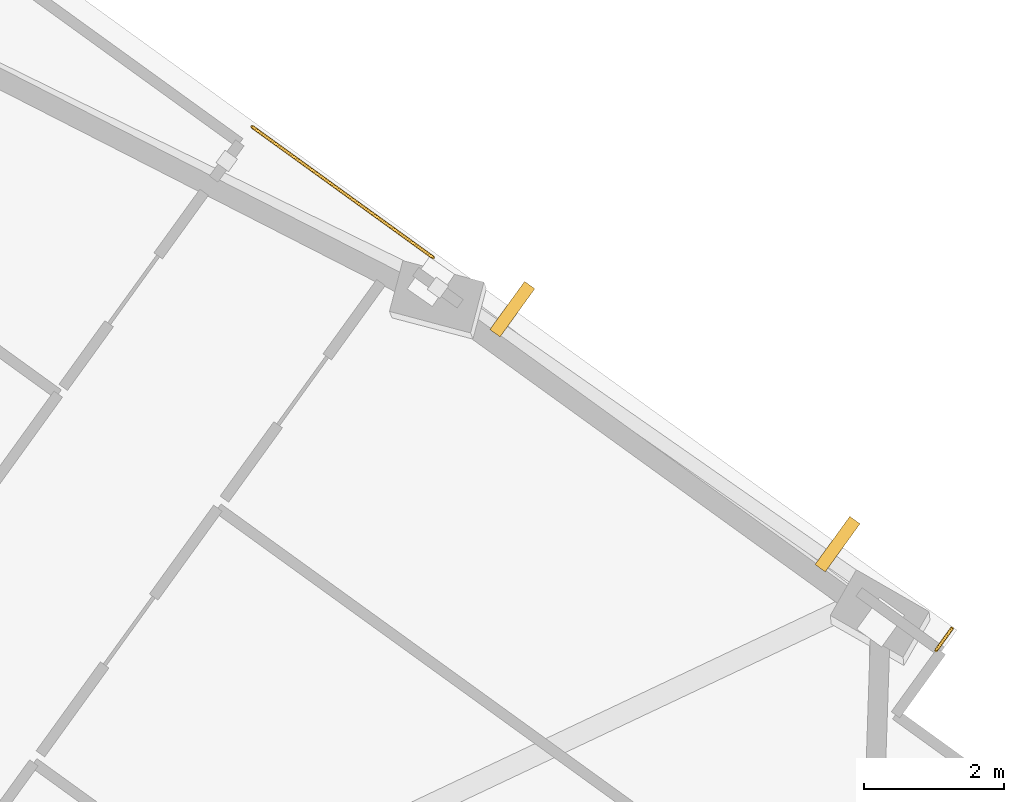
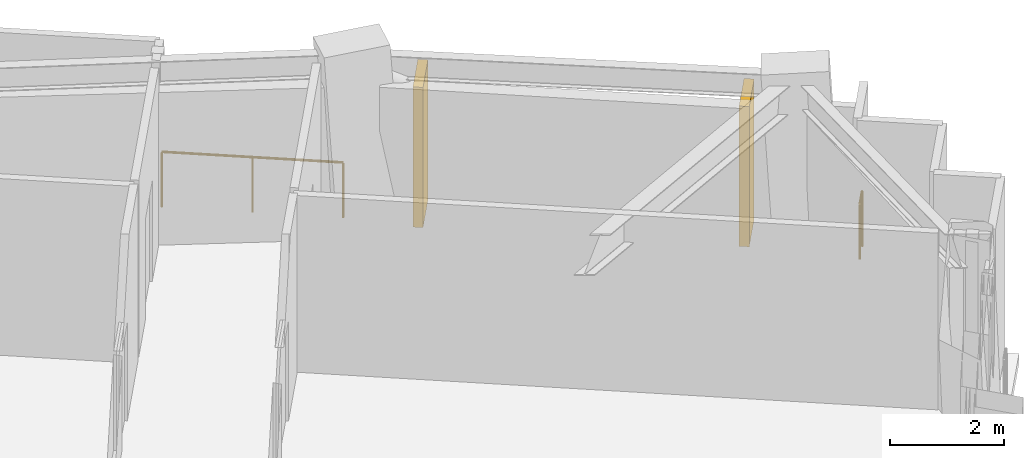
# One storey, part 13 of 13: 2 railings, 2 shading devices.
"""IFC4 building model written with IfcOpenShell, lengths in metres."""

import ifcopenshell
import ifcopenshell.guid

model = None  # the IFC model being written
_history = None  # IfcOwnerHistory: only IFC2X3 demands one
_inside = {}  # id of a spatial element -> (the spatial element, [elements in it])
_under = {}  # id of a project, library or spatial element -> (it, [spatial elements below it])
_declared = {}  # id of a project -> (the project, [libraries it declares])
_typed = {}  # id of a type object -> (the type object, [elements of that type])
_made_of = {}  # id of a material, layer set ... -> (it, [elements and type objects made of it])


def new_model(schema):
    """Start an empty IFC model of exactly this schema.

    Asked for "IFC4X3", IfcOpenShell would pick the latest addendum, in which some entities
    have other attributes; the version numbers below select the first issue.
    IFC2X3 requires an IfcOwnerHistory on every rooted entity: one is made here for all.
    """
    global model, _history
    if schema == "IFC4X3":
        model = ifcopenshell.file(schema_version=(4, 3, 0, 0))
    else:
        model = ifcopenshell.file(schema=schema)
    _inside.clear()
    _under.clear()
    _declared.clear()
    _typed.clear()
    _made_of.clear()
    _history = None
    if model.schema == "IFC2X3":
        org = make("IfcOrganization", Name="unknown")
        user = make(
            "IfcPersonAndOrganization",
            ThePerson=make("IfcPerson", FamilyName="unknown"),
            TheOrganization=org,
        )
        app = make(
            "IfcApplication",
            ApplicationDeveloper=org,
            Version="unknown",
            ApplicationFullName="unknown",
            ApplicationIdentifier="unknown",
        )
        _history = make(
            "IfcOwnerHistory",
            OwningUser=user,
            OwningApplication=app,
            ChangeAction="ADDED",
            CreationDate=0,
        )
    return model


def make(cls, **values):
    """One entity of the class cls with the attributes given. An attribute that is None is left unset."""
    return model.create_entity(
        cls, **{name: value for name, value in values.items() if value is not None}
    )


def rooted(cls, **values):
    """An entity with a GlobalId (a new one), such as an element, a storey or a relation."""
    return make(cls, GlobalId=ifcopenshell.guid.new(), OwnerHistory=_history, **values)


def si_unit(unit_type, name, prefix=None):
    """IfcSIUnit, for example si_unit("LENGTHUNIT", "METRE", prefix="MILLI")."""
    return make("IfcSIUnit", UnitType=unit_type, Prefix=prefix, Name=name)


def assignment(units):
    """IfcUnitAssignment: the units of a project."""
    return None if units is None else make("IfcUnitAssignment", Units=units)


def point(xyz):
    """IfcCartesianPoint."""
    return None if xyz is None else make("IfcCartesianPoint", Coordinates=xyz)


def direction(xyz):
    """IfcDirection."""
    return None if xyz is None else make("IfcDirection", DirectionRatios=xyz)


def frame(location, z_axis=None, x_axis=None):
    """IfcAxis2Placement3D, a coordinate frame: its origin and axes. An axis left out is left unset."""
    return make(
        "IfcAxis2Placement3D",
        Location=point(location),
        Axis=direction(z_axis),
        RefDirection=direction(x_axis),
    )


def frame_2d(location, x_axis=None):
    """IfcAxis2Placement2D, a coordinate frame in the plane: its origin and x axis."""
    return make(
        "IfcAxis2Placement2D", Location=point(location), RefDirection=direction(x_axis)
    )


def origin():
    """The frame at (0, 0, 0) with its axes left unset."""
    return frame((0.0, 0.0, 0.0))


def origin_2d():
    """The frame at (0, 0) in the plane with its x axis left unset."""
    return frame_2d((0.0, 0.0))


def place(relative_to, where):
    """IfcLocalPlacement: puts the frame where relative to a parent placement (None: the world)."""
    return make(
        "IfcLocalPlacement", PlacementRelTo=relative_to, RelativePlacement=where
    )


def context(
    kind, dimensions, precision=None, world=None, true_north=None, identifier=None
):
    """IfcGeometricRepresentationContext, for example the 3D "Model" context."""
    return make(
        "IfcGeometricRepresentationContext",
        ContextIdentifier=identifier,
        ContextType=kind,
        CoordinateSpaceDimension=dimensions,
        Precision=precision,
        WorldCoordinateSystem=world,
        TrueNorth=true_north,
    )


def subcontext(parent, identifier, kind, view, scale=None):
    """IfcGeometricRepresentationSubContext, for example "Body" below "Model"."""
    return make(
        "IfcGeometricRepresentationSubContext",
        ContextIdentifier=identifier,
        ContextType=kind,
        ParentContext=parent,
        TargetScale=scale,
        TargetView=view,
    )


def project(units=None, contexts=None):
    """IfcProject with its units and contexts."""
    return rooted(
        "IfcProject",
        Name="project",
        RepresentationContexts=contexts,
        UnitsInContext=assignment(units),
    )


def spatial(cls, under=None, at=None, **own):
    """A site, building, storey or space (cls), placed at a placement, below another one or the project."""
    s = rooted(cls, ObjectPlacement=at, **own)
    if under is not None:
        _under.setdefault(under.id(), (under, []))[1].append(s)
    return s


def profile(cls, at=None, kind="AREA", **sizes):
    """A parametric profile (cls). Its sizes go by their IFC names, for example OverallWidth=200.0."""
    return make(cls, ProfileType=kind, Position=at, **sizes)


def rectangle(**sizes):
    """IfcRectangleProfileDef."""
    return profile("IfcRectangleProfileDef", **sizes)


def circle(**sizes):
    """IfcCircleProfileDef."""
    return profile("IfcCircleProfileDef", **sizes)


def extrude(swept, where, along, depth):
    """IfcExtrudedAreaSolid: the profile swept, set in the frame where, extruded along a direction by depth."""
    return make(
        "IfcExtrudedAreaSolid",
        SweptArea=swept,
        Position=where,
        ExtrudedDirection=direction(along),
        Depth=depth,
    )


def shape(context_of_items, identifier, shape_type, items):
    """IfcShapeRepresentation: the items that make up one representation, for example the "Body"."""
    return make(
        "IfcShapeRepresentation",
        ContextOfItems=context_of_items,
        RepresentationIdentifier=identifier,
        RepresentationType=shape_type,
        Items=items,
    )


def material(Name=None, Category=None):
    """IfcMaterial."""
    return make("IfcMaterial", Name=Name, Category=Category)


def layer(
    of_material, thickness, ventilated=None, Name=None, Category=None, Priority=None
):
    """IfcMaterialLayer: one layer of a wall or slab, of a material (None: an air gap)."""
    return make(
        "IfcMaterialLayer",
        Material=of_material,
        LayerThickness=thickness,
        IsVentilated=ventilated,
        Name=Name,
        Category=Category,
        Priority=Priority,
    )


def layer_set(layers, Name=None):
    """IfcMaterialLayerSet."""
    return make("IfcMaterialLayerSet", MaterialLayers=layers, LayerSetName=Name)


def made_of(thing, what):
    """Note that an element or type object is made of a material, layer set ...; save() writes the relation."""
    if what is not None:
        _made_of.setdefault(what.id(), (what, []))[1].append(thing)
    return thing


def type_object(cls, material=None, **own):
    """A type object (cls), such as IfcWallType, which elements share."""
    return made_of(rooted(cls, **own), material)


def element(
    cls,
    number,
    at=None,
    inside=None,
    cuts=None,
    type_object=None,
    material=None,
    context=None,
    identifier="Body",
    shape_type=None,
    held_by="IfcProductDefinitionShape",
    body=None,
    shapes=None,
    **own,
):
    """One element of the class cls, such as IfcWall. Its Tag is "e" and its number.

    at: its placement. inside: the storey or other place that contains it. cuts: it is an
    opening in that element (IfcRelVoidsElement). A single representation is given by context,
    identifier, shape_type and body (its items); several are given by shapes. held_by: the class
    of the entity that holds the representations. save() writes the other relations.
    """
    e = rooted(cls, Tag="e%d" % number, ObjectPlacement=at, **own)
    if body is not None:
        shapes = [shape(context, identifier, shape_type, body)]
    if shapes is not None:
        e.Representation = make(held_by, Representations=shapes)
    if inside is not None:
        _inside.setdefault(inside.id(), (inside, []))[1].append(e)
    if cuts is not None:
        rooted(
            "IfcRelVoidsElement", RelatingBuildingElement=cuts, RelatedOpeningElement=e
        )
    if type_object is not None:
        _typed.setdefault(type_object.id(), (type_object, []))[1].append(e)
    return made_of(e, material)


def aggregate(whole, parts):
    """IfcRelAggregates: a whole, such as a stair, and the parts it consists of."""
    return rooted("IfcRelAggregates", RelatingObject=whole, RelatedObjects=parts)


def save(model, path):
    """Write the relations noted so far, then the file.

    IfcRelAggregates (storeys below a building ...), IfcRelContainedInSpatialStructure (elements
    in a storey), IfcRelDefinesByType, IfcRelAssociatesMaterial and IfcRelDeclares: one each for
    every whole, place, type object, material and project.
    """
    for whole, parts in _under.values():
        aggregate(whole, parts)
    for where, things in _inside.values():
        rooted(
            "IfcRelContainedInSpatialStructure",
            RelatedElements=things,
            RelatingStructure=where,
        )
    for kind, things in _typed.values():
        rooted("IfcRelDefinesByType", RelatedObjects=things, RelatingType=kind)
    for what, things in _made_of.values():
        rooted("IfcRelAssociatesMaterial", RelatedObjects=things, RelatingMaterial=what)
    for by, libraries in _declared.values():
        rooted("IfcRelDeclares", RelatingContext=by, RelatedDefinitions=libraries)
    model.write(path)


model = new_model("IFC4")

# Units and contexts
model_context = context("Model", 3, precision=1e-05, world=origin(), true_north=direction((0.0, 1.0)))
body_context = subcontext(model_context, "Body", "Model", "MODEL_VIEW")
ifc_project = project(units=[si_unit("LENGTHUNIT", "METRE"), si_unit("AREAUNIT", "SQUARE_METRE"), si_unit("VOLUMEUNIT", "CUBIC_METRE"), si_unit("PLANEANGLEUNIT", "RADIAN"), si_unit("MASSUNIT", "GRAM", prefix="KILO")], contexts=[model_context])

# Site, building, storey
site_placement = place(None, origin())
site = spatial("IfcSite", under=ifc_project, at=site_placement, CompositionType="ELEMENT")
building_placement = place(site_placement, origin())
building = spatial("IfcBuilding", under=site, at=building_placement, Name="Gaonmaruhae Medical Tower", CompositionType="ELEMENT")
storey_placement = place(building_placement, frame((0.0, 0.0, 255.199951171875)))
storey = spatial("IfcBuildingStorey", under=building, at=storey_placement, Name="L61", CompositionType="ELEMENT", Elevation=255.199951171875)

# Railings
ifc_material_1 = material(Name="Stainless steel 316L and laminated safety glass", Category="steel")
ifc_layer = layer(ifc_material_1, 0.080078125)
ifc_layer_set = layer_set([ifc_layer], Name="Stainless steel 316L and laminated safety glass")
railing_type = type_object("IfcRailingType", Name="GD-120 Outdoor Terrace Safety Glass & Steel Balustrade", PredefinedType="BALUSTRADE", material=ifc_layer_set)
railing_1_placement = place(storey_placement, frame((49.62939453125, 34.351806640625, 0.0)))
element("IfcRailing", 1, at=railing_1_placement, inside=storey, type_object=railing_type, Name="L61 Perimeter Slab Edge Safety Balustrade 04", PredefinedType="BALUSTRADE", context=body_context, shape_type="SweptSolid", body=[
    extrude(circle(Radius=0.02392578125, at=origin_2d()), frame((0.0, 0.0, 1.17578125), z_axis=(0.81052610546, -0.585702511834, 0.0), x_axis=(0.585702511834, 0.81052610546, 0.0)), (0.0, 0.0, 1.0), 3.19580078125),
    extrude(circle(Radius=0.02099609375, at=origin_2d()), origin(), (0.0, 0.0, 1.0), 1.15185546875),
    extrude(circle(Radius=0.02099609375, at=origin_2d()), frame((1.295166015625, -0.93603515625, 0.0)), (0.0, 0.0, 1.0), 1.15185546875),
    extrude(circle(Radius=0.02099609375, at=origin_2d()), frame((2.59033203125, -1.871826171875, 0.0)), (0.0, 0.0, 1.0), 1.15185546875),
])
railing_2_placement = place(storey_placement, frame((59.65380859375, 27.170166015625, 0.0)))
element("IfcRailing", 2, at=railing_2_placement, inside=storey, type_object=railing_type, Name="L61 Perimeter Slab Edge Safety Balustrade 05", PredefinedType="BALUSTRADE", context=body_context, shape_type="SweptSolid", body=[
    extrude(circle(Radius=0.02392578125, at=origin_2d()), frame((0.0, 0.0, 1.17578125), z_axis=(-0.585399887927, -0.810744701626, 0.0), x_axis=(0.810744701626, -0.585399887927, 0.0)), (0.0, 0.0, 1.0), 0.393310546875),
    extrude(circle(Radius=0.02099609375, at=origin_2d()), origin(), (0.0, 0.0, 1.0), 1.15185546875),
    extrude(circle(Radius=0.02099609375, at=origin_2d()), frame((-0.230224609375, -0.31884765625, 0.0)), (0.0, 0.0, 1.0), 1.15185546875),
])

# Shading devices
ifc_material_2 = material(Name="Pigmented coral precast concrete C45/55", Category="concrete")
shading_device_type = type_object("IfcShadingDeviceType", Name="SD-FIN1 Tower Vertical Coral Precast Shading Fin", PredefinedType="USERDEFINED", material=ifc_material_2)
for number, where, z_axis, x_axis, name in (
    (3, (53.355224609375, 31.73974609375, 0.132568359375), (0.0, 0.0, 1.0), (0.810553038353, -0.585665238866, 0.0), "L61 Vertical Coral Precast Shading Fin E01"),
    (4, (58.012939453125, 28.374267578125, 0.132568359375), (0.0, 0.0, 1.0), (0.810553038353, -0.585665238866, 0.0), "L61 Vertical Coral Precast Shading Fin E01B"),
):
    element("IfcShadingDevice", number, at=place(storey_placement, frame(where, z_axis=z_axis, x_axis=x_axis)), inside=storey, type_object=shading_device_type, Name=name, ObjectType="FIN", PredefinedType="USERDEFINED", context=body_context, shape_type="SweptSolid", body=[
        extrude(rectangle(XDim=0.179931640625, YDim=0.85009765625, at=origin_2d()), origin(), (0.0, 0.0, 1.0), 3.0),
    ])

save(model, "model.ifc")
